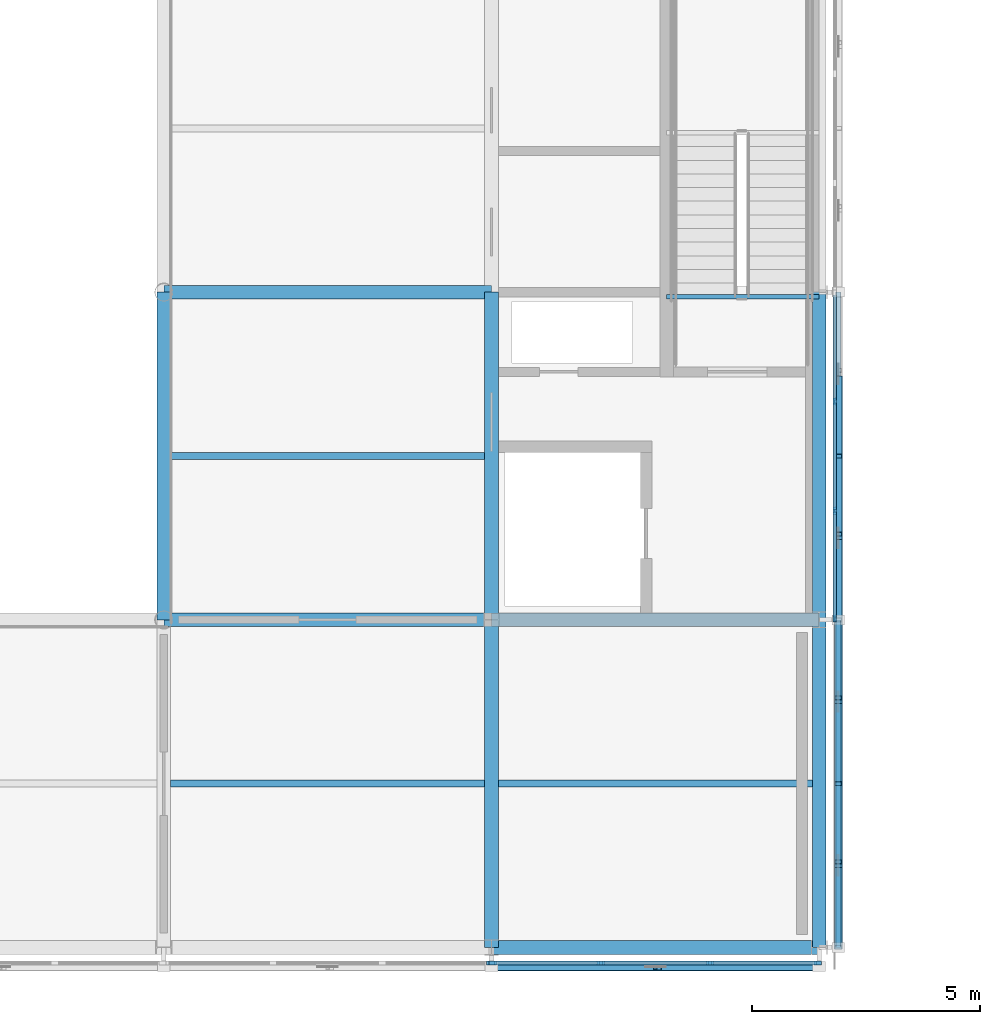
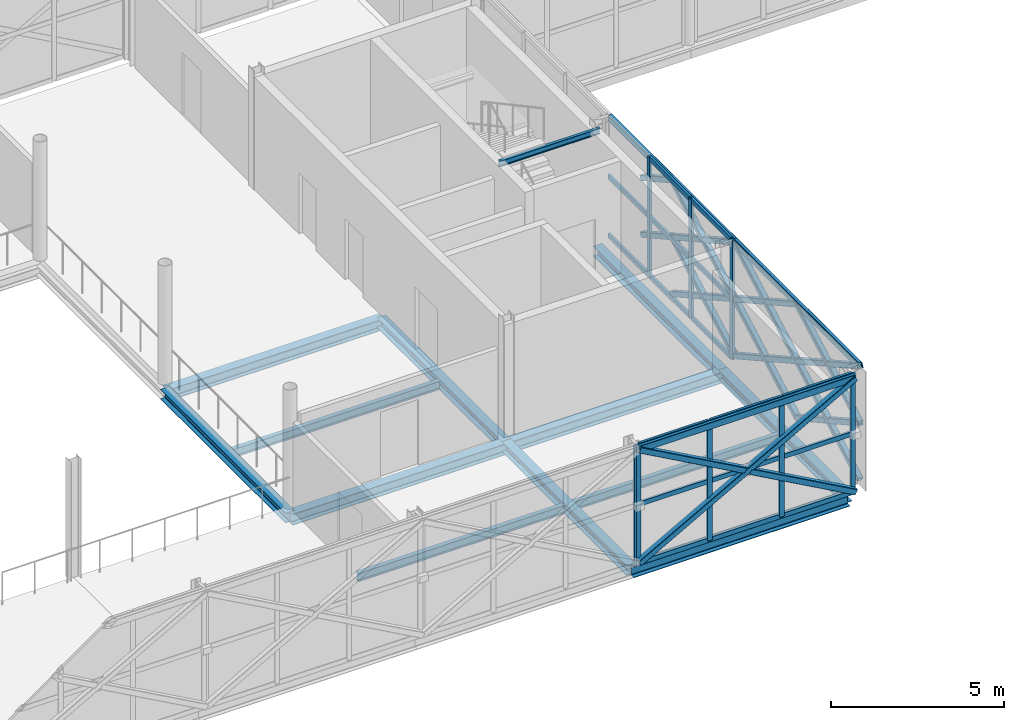
# One storey, part 35 of 126: 51 members, 13 beams, 3 elements without a shape of their own.
"""IFC4 building model written with IfcOpenShell, lengths in metres."""

from ifc_helpers import new_model, si_unit, direction, frame, origin, origin_2d, place, context, subcontext, project, spatial, rectangle, hollow_rectangle, i_section, extrude, material, material_profile, profile_set, type_object, element, aggregate, save


model = new_model("IFC4")

# Units and contexts
model_context = context("Model", 3, precision=1e-05, world=origin(), true_north=direction((0.0, 1.0)))
body_context = subcontext(model_context, "Body", "Model", "MODEL_VIEW")
ifc_project = project(units=[si_unit("LENGTHUNIT", "METRE"), si_unit("AREAUNIT", "SQUARE_METRE"), si_unit("VOLUMEUNIT", "CUBIC_METRE"), si_unit("PLANEANGLEUNIT", "RADIAN"), si_unit("MASSUNIT", "GRAM", prefix="KILO")], contexts=[model_context])

# Site, building, storey
site_placement = place(None, origin())
site = spatial("IfcSite", under=ifc_project, at=site_placement, CompositionType="ELEMENT")
building_placement = place(site_placement, origin())
building = spatial("IfcBuilding", under=site, at=building_placement, Name="Zlatovets Crest Museum", CompositionType="ELEMENT")
storey_placement = place(building_placement, frame((0.0, 0.0, 8.699951171875)))
storey = spatial("IfcBuildingStorey", under=building, at=storey_placement, Name="L02", CompositionType="ELEMENT", Elevation=8.699951171875)

# Beams
ifc_material_1 = material(Name="Structural steel S355J2", Category="steel")
ifc_material_profile_1 = material_profile(ifc_material_1, i_section(OverallWidth=0.300048828125, OverallDepth=0.389892578125, WebThickness=0.010986328125, FlangeThickness=0.01904296875, FilletRadius=0.027099609375, at=origin_2d()), Name="HEA 400")
ifc_profile_set_1 = profile_set([ifc_material_profile_1], Name="Structural steel S355J2")
beam_type_1 = type_object("IfcBeamType", Name="Beam_B-02", PredefinedType="BEAM", material=ifc_profile_set_1)
for number, where, z_axis, x_axis, name in (
    (1, (100.800048828125, 0.0, -0.4150390625), (1.0, 0.0, 0.0), (0.0, 1.0, 0.0), "V2 L02 Primary Girder B-02"),
    (2, (93.60009765625, 7.199951171875, -0.4150390625), (1.0, 0.0, 0.0), (0.0, 1.0, 0.0), "V2 L02 Primary Girder B-02"),
    (3, (100.800048828125, 7.199951171875, -0.4150390625), (1.0, 0.0, 0.0), (0.0, 1.0, 0.0), "V2 L02 Primary Girder B-02"),
    (4, (93.60009765625, 14.39990234375, -0.4150390625), (1.0, 0.0, 0.0), (0.0, 1.0, 0.0), "V2 L02 Primary Girder B-02"),
):
    element("IfcBeam", number, at=place(storey_placement, frame(where, z_axis=z_axis, x_axis=x_axis)), inside=storey, type_object=beam_type_1, Name=name, PredefinedType="BEAM", context=body_context, shape_type="SweptSolid", body=[
        extrude(i_section(OverallWidth=0.300048828125, OverallDepth=0.389892578125, WebThickness=0.010986328125, FlangeThickness=0.01904296875, FilletRadius=0.027099609375, at=origin_2d()), origin(), (0.0, 0.0, 1.0), 7.199951171875),
    ])
ifc_material_profile_2 = material_profile(ifc_material_1, i_section(OverallWidth=0.300048828125, OverallDepth=0.35009765625, WebThickness=0.010009765625, FlangeThickness=0.017578125, FilletRadius=0.027099609375, at=origin_2d()), Name="HEA 360")
ifc_profile_set_2 = profile_set([ifc_material_profile_2], Name="Structural steel S355J2")
beam_type_2 = type_object("IfcBeamType", Name="Beam_B-03", PredefinedType="BEAM", material=ifc_profile_set_2)
for number, where, z_axis, x_axis, name in (
    (5, (93.60009765625, 7.199951171875, -0.39501953125), (0.0, 1.0, 0.0), (-1.0, 0.0, 0.0), "V2 L02 Grid Beam B-03"),
    (6, (100.800048828125, 0.0, -0.39501953125), (0.0, 1.0, 0.0), (-1.0, 0.0, 0.0), "V2 L02 Grid Beam B-03"),
    (7, (100.800048828125, 7.199951171875, -0.39501953125), (0.0, 1.0, 0.0), (-1.0, 0.0, 0.0), "V2 L02 Grid Beam B-03"),
    (8, (108.0, 0.0, -0.39501953125), (0.0, 1.0, 0.0), (-1.0, 0.0, 0.0), "V2 L02 Grid Beam B-03"),
    (9, (108.0, 7.199951171875, -0.39501953125), (0.0, 1.0, 0.0), (-1.0, 0.0, 0.0), "V2 L02 Grid Beam B-03"),
):
    element("IfcBeam", number, at=place(storey_placement, frame(where, z_axis=z_axis, x_axis=x_axis)), inside=storey, type_object=beam_type_2, Name=name, PredefinedType="BEAM", context=body_context, shape_type="SweptSolid", body=[
        extrude(i_section(OverallWidth=0.300048828125, OverallDepth=0.35009765625, WebThickness=0.010009765625, FlangeThickness=0.017578125, FilletRadius=0.027099609375, at=origin_2d()), origin(), (0.0, 0.0, 1.0), 7.199951171875),
    ])
ifc_material_profile_3 = material_profile(ifc_material_1, i_section(OverallWidth=0.14990234375, OverallDepth=0.300048828125, WebThickness=0.007080078125, FlangeThickness=0.0107421875, FilletRadius=0.014892578125, at=origin_2d()), Name="IPE 300")
ifc_profile_set_3 = profile_set([ifc_material_profile_3], Name="Structural steel S355J2")
beam_type_3 = type_object("IfcBeamType", Name="Beam_J-02", PredefinedType="JOIST", material=ifc_profile_set_3)
for number, where, z_axis, x_axis, name in (
    (10, (93.75, 3.60009765625, -0.369873046875), (1.0, 0.0, 0.0), (0.0, 1.0, 0.0), "V2 L02 Composite Joist J-02"),
    (11, (93.75, 10.800048828125, -0.369873046875), (1.0, 0.0, 0.0), (0.0, 1.0, 0.0), "V2 L02 Composite Joist J-02"),
):
    element("IfcBeam", number, at=place(storey_placement, frame(where, z_axis=z_axis, x_axis=x_axis)), inside=storey, type_object=beam_type_3, Name=name, PredefinedType="JOIST", context=body_context, shape_type="SweptSolid", body=[
        extrude(i_section(OverallWidth=0.14990234375, OverallDepth=0.300048828125, WebThickness=0.007080078125, FlangeThickness=0.0107421875, FilletRadius=0.014892578125, at=origin_2d()), origin(), (0.0, 0.0, 1.0), 6.89990234375),
    ])
beam_1_placement = place(storey_placement, frame((100.949951171875, 3.60009765625, -0.369873046875), z_axis=(1.0, 0.0, 0.0), x_axis=(0.0, 1.0, 0.0)))
element("IfcBeam", 12, at=beam_1_placement, inside=storey, type_object=beam_type_3, Name="V2 L02 Composite Joist J-02", PredefinedType="JOIST", context=body_context, shape_type="SweptSolid", body=[
    extrude(i_section(OverallWidth=0.14990234375, OverallDepth=0.300048828125, WebThickness=0.007080078125, FlangeThickness=0.0107421875, FilletRadius=0.014892578125, at=origin_2d()), origin(), (0.0, 0.0, 1.0), 6.900146484375),
])
ifc_material_profile_4 = material_profile(ifc_material_1, i_section(OverallWidth=0.10009765625, OverallDepth=0.199951171875, WebThickness=0.005615234375, FlangeThickness=0.008544921875, FilletRadius=0.011962890625, at=origin_2d()), Name="IPE 200")
ifc_profile_set_4 = profile_set([ifc_material_profile_4], Name="Structural steel S355J2")
beam_type_4 = type_object("IfcBeamType", Name="Beam_PR-02", PredefinedType="LINTEL", material=ifc_profile_set_4)
beam_2_placement = place(storey_placement, frame((104.64990234375, 14.300048828125, 3.860107421875), z_axis=(1.0, 0.0, 0.0), x_axis=(0.0, 1.0, 0.0)))
element("IfcBeam", 13, at=beam_2_placement, inside=storey, type_object=beam_type_4, Name="Core C8 L02 Stair Well Header Beam", PredefinedType="LINTEL", context=body_context, shape_type="SweptSolid", body=[
    extrude(i_section(OverallWidth=0.10009765625, OverallDepth=0.199951171875, WebThickness=0.005615234375, FlangeThickness=0.008544921875, FilletRadius=0.011962890625, at=origin_2d()), origin(), (0.0, 0.0, 1.0), 3.35009765625),
])

# Curtain wall, member
ifc_material_2 = material(Name="Bronze-anodised aluminium and low-E triple glass", Category="aluminium")
curtain_wall_type_1 = type_object("IfcCurtainWallType", Name="CW_CW-V2-L02-M1", PredefinedType="NOTDEFINED", material=ifc_material_2)
curtain_wall_1_placement = place(storey_placement, origin())
curtain_wall_1 = element("IfcCurtainWall", 14, at=curtain_wall_1_placement, inside=storey, type_object=curtain_wall_type_1, Name="V2 L02 Secession Foyer Clear Curtain Wall", PredefinedType="NOTDEFINED")
ifc_material_3 = material(Name="Bronze-anodised aluminium EN AW-6060", Category="aluminium")
ifc_material_profile_5 = material_profile(ifc_material_3, rectangle(XDim=0.080078125, YDim=0.159912109375, at=origin_2d()), Name="ALU 80x160")
ifc_profile_set_5 = profile_set([ifc_material_profile_5], Name="Bronze-anodised aluminium EN AW-6060")
member_type_1 = type_object("IfcMemberType", Name="CWMull_M1", PredefinedType="MULLION", material=ifc_profile_set_5)
member_1_placement = place(storey_placement, frame((100.77001953125, -0.340087890625, 0.0), z_axis=(0.0, 0.0, 1.0), x_axis=(0.0, 1.0, 0.0)))
member_1 = element("IfcMember", 15, at=member_1_placement, type_object=member_type_1, Name="CW-V2-L02-M1 mullion 4", PredefinedType="MULLION", context=body_context, shape_type="SweptSolid", body=[
    extrude(rectangle(XDim=0.080078125, YDim=0.159912109375, at=origin_2d()), origin(), (0.0, 0.0, 1.0), 4.199951171875),
])
aggregate(curtain_wall_1, [member_1])

# Curtain wall, members
curtain_wall_type_2 = type_object("IfcCurtainWallType", Name="CW_CW-V2-L02-M2", PredefinedType="NOTDEFINED", material=ifc_material_2)
curtain_wall_2_placement = place(storey_placement, origin())
curtain_wall_2 = element("IfcCurtainWall", 16, at=curtain_wall_2_placement, inside=storey, type_object=curtain_wall_type_2, Name="V2 L02 Secession Foyer Clear Curtain Wall", PredefinedType="NOTDEFINED")
member_2_placement = place(storey_placement, frame((100.830078125, -0.340087890625, 0.0), z_axis=(0.0, 0.0, 1.0), x_axis=(0.0, 1.0, 0.0)))
member_2 = element("IfcMember", 17, at=member_2_placement, type_object=member_type_1, Name="CW-V2-L02-M2 mullion 1", PredefinedType="MULLION", context=body_context, shape_type="SweptSolid", body=[
    extrude(rectangle(XDim=0.080078125, YDim=0.159912109375, at=origin_2d()), origin(), (0.0, 0.0, 1.0), 4.199951171875),
])
member_3_placement = place(storey_placement, frame((103.199951171875, -0.340087890625, 0.0), z_axis=(0.0, 0.0, 1.0), x_axis=(0.0, 1.0, 0.0)))
member_3 = element("IfcMember", 18, at=member_3_placement, type_object=member_type_1, Name="CW-V2-L02-M2 mullion 2", PredefinedType="MULLION", context=body_context, shape_type="SweptSolid", body=[
    extrude(rectangle(XDim=0.080078125, YDim=0.159912109375, at=origin_2d()), origin(), (0.0, 0.0, 1.0), 4.199951171875),
])
member_4_placement = place(storey_placement, frame((105.60009765625, -0.340087890625, 0.0), z_axis=(0.0, 0.0, 1.0), x_axis=(0.0, 1.0, 0.0)))
member_4 = element("IfcMember", 19, at=member_4_placement, type_object=member_type_1, Name="CW-V2-L02-M2 mullion 3", PredefinedType="MULLION", context=body_context, shape_type="SweptSolid", body=[
    extrude(rectangle(XDim=0.080078125, YDim=0.159912109375, at=origin_2d()), origin(), (0.0, 0.0, 1.0), 4.199951171875),
])
member_5_placement = place(storey_placement, frame((107.969970703125, -0.340087890625, 0.0), z_axis=(0.0, 0.0, 1.0), x_axis=(0.0, 1.0, 0.0)))
member_5 = element("IfcMember", 20, at=member_5_placement, type_object=member_type_1, Name="CW-V2-L02-M2 mullion 4", PredefinedType="MULLION", context=body_context, shape_type="SweptSolid", body=[
    extrude(rectangle(XDim=0.080078125, YDim=0.159912109375, at=origin_2d()), origin(), (0.0, 0.0, 1.0), 4.199951171875),
])

curtain_wall_type_3 = type_object("IfcCurtainWallType", Name="CW_CW-V2-L02-M0", PredefinedType="NOTDEFINED", material=ifc_material_2)
curtain_wall_3_placement = place(storey_placement, origin())
curtain_wall_3 = element("IfcCurtainWall", 21, at=curtain_wall_3_placement, inside=storey, type_object=curtain_wall_type_3, Name="V2 L02 Expressed Core Glazed Facade", PredefinedType="NOTDEFINED")
member_6_placement = place(storey_placement, frame((108.340087890625, 7.22998046875, 0.0), z_axis=(0.0, 0.0, 1.0), x_axis=(-1.0, 0.0, 0.0)))
member_6 = element("IfcMember", 22, at=member_6_placement, type_object=member_type_1, Name="CW-V2-L02-M0 mullion 1", PredefinedType="MULLION", context=body_context, shape_type="SweptSolid", body=[
    extrude(rectangle(XDim=0.080078125, YDim=0.159912109375, at=origin_2d()), origin(), (0.0, 0.0, 1.0), 4.199951171875),
])
member_7_placement = place(storey_placement, frame((108.340087890625, 9.60009765625, 0.0), z_axis=(0.0, 0.0, 1.0), x_axis=(-1.0, 0.0, 0.0)))
member_7 = element("IfcMember", 23, at=member_7_placement, type_object=member_type_1, Name="CW-V2-L02-M0 mullion 2", PredefinedType="MULLION", context=body_context, shape_type="SweptSolid", body=[
    extrude(rectangle(XDim=0.080078125, YDim=0.159912109375, at=origin_2d()), origin(), (0.0, 0.0, 1.0), 4.199951171875),
])
member_8_placement = place(storey_placement, frame((108.340087890625, 12.0, 0.0), z_axis=(0.0, 0.0, 1.0), x_axis=(-1.0, 0.0, 0.0)))
member_8 = element("IfcMember", 24, at=member_8_placement, type_object=member_type_1, Name="CW-V2-L02-M0 mullion 3", PredefinedType="MULLION", context=body_context, shape_type="SweptSolid", body=[
    extrude(rectangle(XDim=0.080078125, YDim=0.159912109375, at=origin_2d()), origin(), (0.0, 0.0, 1.0), 4.199951171875),
])

# Member
ifc_material_profile_6 = material_profile(ifc_material_3, rectangle(XDim=0.080078125, YDim=0.159912109375, at=origin_2d()), Name="ALU 80x160")
ifc_profile_set_6 = profile_set([ifc_material_profile_6], Name="Bronze-anodised aluminium EN AW-6060")
member_type_2 = type_object("IfcMemberType", Name="CWTrans_T1", PredefinedType="USERDEFINED", material=ifc_profile_set_6)
member_9_placement = place(storey_placement, frame((100.860107421875, -0.340087890625, 0.030029296875), z_axis=(1.0, 0.0, 0.0), x_axis=(0.0, 1.0, 0.0)))
member_9 = element("IfcMember", 25, at=member_9_placement, type_object=member_type_2, Name="CW-V2-L02-M2 transom 1.1", ObjectType="TRANSOM", PredefinedType="USERDEFINED", context=body_context, shape_type="SweptSolid", body=[
    extrude(rectangle(XDim=0.080078125, YDim=0.159912109375, at=origin_2d()), origin(), (0.0, 0.0, 1.0), 2.309814453125),
])

member_10_placement = place(storey_placement, frame((100.860107421875, -0.340087890625, 2.10009765625), z_axis=(1.0, 0.0, 0.0), x_axis=(0.0, 1.0, 0.0)))
member_10 = element("IfcMember", 26, at=member_10_placement, type_object=member_type_2, Name="CW-V2-L02-M2 transom 1.2", ObjectType="TRANSOM", PredefinedType="USERDEFINED", context=body_context, shape_type="SweptSolid", body=[
    extrude(rectangle(XDim=0.080078125, YDim=0.159912109375, at=origin_2d()), origin(), (0.0, 0.0, 1.0), 2.309814453125),
])

member_11_placement = place(storey_placement, frame((100.860107421875, -0.340087890625, 4.170166015625), z_axis=(1.0, 0.0, 0.0), x_axis=(0.0, 1.0, 0.0)))
member_11 = element("IfcMember", 27, at=member_11_placement, type_object=member_type_2, Name="CW-V2-L02-M2 transom 1.3", ObjectType="TRANSOM", PredefinedType="USERDEFINED", context=body_context, shape_type="SweptSolid", body=[
    extrude(rectangle(XDim=0.080078125, YDim=0.159912109375, at=origin_2d()), origin(), (0.0, 0.0, 1.0), 2.309814453125),
])

member_12_placement = place(storey_placement, frame((103.22998046875, -0.340087890625, 0.030029296875), z_axis=(1.0, 0.0, 0.0), x_axis=(0.0, 1.0, 0.0)))
member_12 = element("IfcMember", 28, at=member_12_placement, type_object=member_type_2, Name="CW-V2-L02-M2 transom 2.1", ObjectType="TRANSOM", PredefinedType="USERDEFINED", context=body_context, shape_type="SweptSolid", body=[
    extrude(rectangle(XDim=0.080078125, YDim=0.159912109375, at=origin_2d()), origin(), (0.0, 0.0, 1.0), 2.340087890625),
])

member_13_placement = place(storey_placement, frame((103.22998046875, -0.340087890625, 2.10009765625), z_axis=(1.0, 0.0, 0.0), x_axis=(0.0, 1.0, 0.0)))
member_13 = element("IfcMember", 29, at=member_13_placement, type_object=member_type_2, Name="CW-V2-L02-M2 transom 2.2", ObjectType="TRANSOM", PredefinedType="USERDEFINED", context=body_context, shape_type="SweptSolid", body=[
    extrude(rectangle(XDim=0.080078125, YDim=0.159912109375, at=origin_2d()), origin(), (0.0, 0.0, 1.0), 2.340087890625),
])

member_14_placement = place(storey_placement, frame((103.22998046875, -0.340087890625, 4.170166015625), z_axis=(1.0, 0.0, 0.0), x_axis=(0.0, 1.0, 0.0)))
member_14 = element("IfcMember", 30, at=member_14_placement, type_object=member_type_2, Name="CW-V2-L02-M2 transom 2.3", ObjectType="TRANSOM", PredefinedType="USERDEFINED", context=body_context, shape_type="SweptSolid", body=[
    extrude(rectangle(XDim=0.080078125, YDim=0.159912109375, at=origin_2d()), origin(), (0.0, 0.0, 1.0), 2.340087890625),
])

member_15_placement = place(storey_placement, frame((105.6298828125, -0.340087890625, 0.030029296875), z_axis=(1.0, 0.0, 0.0), x_axis=(0.0, 1.0, 0.0)))
member_15 = element("IfcMember", 31, at=member_15_placement, type_object=member_type_2, Name="CW-V2-L02-M2 transom 3.1", ObjectType="TRANSOM", PredefinedType="USERDEFINED", context=body_context, shape_type="SweptSolid", body=[
    extrude(rectangle(XDim=0.080078125, YDim=0.159912109375, at=origin_2d()), origin(), (0.0, 0.0, 1.0), 2.31005859375),
])

member_16_placement = place(storey_placement, frame((105.6298828125, -0.340087890625, 2.10009765625), z_axis=(1.0, 0.0, 0.0), x_axis=(0.0, 1.0, 0.0)))
member_16 = element("IfcMember", 32, at=member_16_placement, type_object=member_type_2, Name="CW-V2-L02-M2 transom 3.2", ObjectType="TRANSOM", PredefinedType="USERDEFINED", context=body_context, shape_type="SweptSolid", body=[
    extrude(rectangle(XDim=0.080078125, YDim=0.159912109375, at=origin_2d()), origin(), (0.0, 0.0, 1.0), 2.31005859375),
])

member_17_placement = place(storey_placement, frame((105.6298828125, -0.340087890625, 4.170166015625), z_axis=(1.0, 0.0, 0.0), x_axis=(0.0, 1.0, 0.0)))
member_17 = element("IfcMember", 33, at=member_17_placement, type_object=member_type_2, Name="CW-V2-L02-M2 transom 3.3", ObjectType="TRANSOM", PredefinedType="USERDEFINED", context=body_context, shape_type="SweptSolid", body=[
    extrude(rectangle(XDim=0.080078125, YDim=0.159912109375, at=origin_2d()), origin(), (0.0, 0.0, 1.0), 2.31005859375),
])

aggregate(curtain_wall_2, [member_2, member_3, member_4, member_5, member_9, member_10, member_11, member_12, member_13, member_14, member_15, member_16, member_17])

member_18_placement = place(storey_placement, frame((108.340087890625, 7.260009765625, 0.030029296875), z_axis=(0.0, 1.0, 0.0), x_axis=(-1.0, 0.0, 0.0)))
member_18 = element("IfcMember", 34, at=member_18_placement, type_object=member_type_2, Name="CW-V2-L02-M0 transom 1.1", ObjectType="TRANSOM", PredefinedType="USERDEFINED", context=body_context, shape_type="SweptSolid", body=[
    extrude(rectangle(XDim=0.080078125, YDim=0.159912109375, at=origin_2d()), origin(), (0.0, 0.0, 1.0), 2.31005859375),
])

member_19_placement = place(storey_placement, frame((108.340087890625, 7.260009765625, 2.10009765625), z_axis=(0.0, 1.0, 0.0), x_axis=(-1.0, 0.0, 0.0)))
member_19 = element("IfcMember", 35, at=member_19_placement, type_object=member_type_2, Name="CW-V2-L02-M0 transom 1.2", ObjectType="TRANSOM", PredefinedType="USERDEFINED", context=body_context, shape_type="SweptSolid", body=[
    extrude(rectangle(XDim=0.080078125, YDim=0.159912109375, at=origin_2d()), origin(), (0.0, 0.0, 1.0), 2.31005859375),
])

member_20_placement = place(storey_placement, frame((108.340087890625, 7.260009765625, 4.170166015625), z_axis=(0.0, 1.0, 0.0), x_axis=(-1.0, 0.0, 0.0)))
member_20 = element("IfcMember", 36, at=member_20_placement, type_object=member_type_2, Name="CW-V2-L02-M0 transom 1.3", ObjectType="TRANSOM", PredefinedType="USERDEFINED", context=body_context, shape_type="SweptSolid", body=[
    extrude(rectangle(XDim=0.080078125, YDim=0.159912109375, at=origin_2d()), origin(), (0.0, 0.0, 1.0), 2.31005859375),
])

member_21_placement = place(storey_placement, frame((108.340087890625, 9.6298828125, 0.030029296875), z_axis=(0.0, 1.0, 0.0), x_axis=(-1.0, 0.0, 0.0)))
member_21 = element("IfcMember", 37, at=member_21_placement, type_object=member_type_2, Name="CW-V2-L02-M0 transom 2.1", ObjectType="TRANSOM", PredefinedType="USERDEFINED", context=body_context, shape_type="SweptSolid", body=[
    extrude(rectangle(XDim=0.080078125, YDim=0.159912109375, at=origin_2d()), origin(), (0.0, 0.0, 1.0), 2.340087890625),
])

member_22_placement = place(storey_placement, frame((108.340087890625, 9.6298828125, 2.10009765625), z_axis=(0.0, 1.0, 0.0), x_axis=(-1.0, 0.0, 0.0)))
member_22 = element("IfcMember", 38, at=member_22_placement, type_object=member_type_2, Name="CW-V2-L02-M0 transom 2.2", ObjectType="TRANSOM", PredefinedType="USERDEFINED", context=body_context, shape_type="SweptSolid", body=[
    extrude(rectangle(XDim=0.080078125, YDim=0.159912109375, at=origin_2d()), origin(), (0.0, 0.0, 1.0), 2.340087890625),
])

member_23_placement = place(storey_placement, frame((108.340087890625, 9.6298828125, 4.170166015625), z_axis=(0.0, 1.0, 0.0), x_axis=(-1.0, 0.0, 0.0)))
member_23 = element("IfcMember", 39, at=member_23_placement, type_object=member_type_2, Name="CW-V2-L02-M0 transom 2.3", ObjectType="TRANSOM", PredefinedType="USERDEFINED", context=body_context, shape_type="SweptSolid", body=[
    extrude(rectangle(XDim=0.080078125, YDim=0.159912109375, at=origin_2d()), origin(), (0.0, 0.0, 1.0), 2.340087890625),
])

member_24_placement = place(storey_placement, frame((108.340087890625, 12.030029296875, 0.030029296875), z_axis=(0.0, 1.0, 0.0), x_axis=(-1.0, 0.0, 0.0)))
member_24 = element("IfcMember", 40, at=member_24_placement, type_object=member_type_2, Name="CW-V2-L02-M0 transom 3.1", ObjectType="TRANSOM", PredefinedType="USERDEFINED", context=body_context, shape_type="SweptSolid", body=[
    extrude(rectangle(XDim=0.080078125, YDim=0.159912109375, at=origin_2d()), origin(), (0.0, 0.0, 1.0), 2.31005859375),
])

member_25_placement = place(storey_placement, frame((108.340087890625, 12.030029296875, 2.10009765625), z_axis=(0.0, 1.0, 0.0), x_axis=(-1.0, 0.0, 0.0)))
member_25 = element("IfcMember", 41, at=member_25_placement, type_object=member_type_2, Name="CW-V2-L02-M0 transom 3.2", ObjectType="TRANSOM", PredefinedType="USERDEFINED", context=body_context, shape_type="SweptSolid", body=[
    extrude(rectangle(XDim=0.080078125, YDim=0.159912109375, at=origin_2d()), origin(), (0.0, 0.0, 1.0), 2.31005859375),
])

aggregate(curtain_wall_3, [member_6, member_7, member_8, member_18, member_19, member_20, member_21, member_22, member_23, member_24, member_25])

# Members
ifc_material_4 = material(Name="Weathering bronze-steel S355J2W", Category="steel")
ifc_material_profile_7 = material_profile(ifc_material_4, hollow_rectangle(XDim=0.179931640625, YDim=0.179931640625, WallThickness=0.010009765625, InnerFilletRadius=0.010009765625, OuterFilletRadius=0.02001953125, at=origin_2d()), Name="SHS 180x180x10.0")
ifc_profile_set_7 = profile_set([ifc_material_profile_7], Name="Weathering bronze-steel S355J2W")
member_type_3 = type_object("IfcMemberType", Name="Lattice_XL-01", PredefinedType="BRACE", material=ifc_profile_set_7)
member_26_placement = place(storey_placement, frame((108.419921875, 0.0, 0.10009765625), z_axis=(0.0, 0.874162868644, 0.485632864501), x_axis=(-1.0, 0.0, 0.0)))
element("IfcMember", 42, at=member_26_placement, inside=storey, type_object=member_type_3, Name="Continuous Bronze Lattice Diagonal", PredefinedType="BRACE", context=body_context, shape_type="SweptSolid", body=[
    extrude(hollow_rectangle(XDim=0.179931640625, YDim=0.179931640625, WallThickness=0.010009765625, InnerFilletRadius=0.010009765625, OuterFilletRadius=0.02001953125, at=origin_2d()), origin(), (0.0, 0.0, 1.0), 4.118408203125),
])
for number, where, z_axis, x_axis, name in (
    (43, (108.419921875, 0.0, 2.10009765625), (0.0, 0.874169001841, -0.485621824284), (-1.0, 0.0, 0.0), "Split Crossing Bronze Lattice Diagonal Upper"),
    (44, (108.419921875, 1.883056640625, 1.053955078125), (0.0, 0.874169001841, -0.485621824284), (-1.0, 0.0, 0.0), "Split Crossing Bronze Lattice Diagonal Lower"),
):
    element("IfcMember", number, at=place(storey_placement, frame(where, z_axis=z_axis, x_axis=x_axis)), inside=storey, type_object=member_type_3, Name=name, PredefinedType="BRACE", context=body_context, shape_type="SweptSolid", body=[
        extrude(hollow_rectangle(XDim=0.179931640625, YDim=0.179931640625, WallThickness=0.010009765625, InnerFilletRadius=0.010009765625, OuterFilletRadius=0.02001953125, at=origin_2d()), origin(), (0.0, 0.0, 1.0), 1.964111328125),
    ])
member_27_placement = place(storey_placement, frame((108.419921875, 3.60009765625, 0.10009765625), z_axis=(0.0, 0.874148886685, 0.485658031857), x_axis=(-1.0, 0.0, 0.0)))
element("IfcMember", 45, at=member_27_placement, inside=storey, type_object=member_type_3, Name="Continuous Bronze Lattice Diagonal", PredefinedType="BRACE", context=body_context, shape_type="SweptSolid", body=[
    extrude(hollow_rectangle(XDim=0.179931640625, YDim=0.179931640625, WallThickness=0.010009765625, InnerFilletRadius=0.010009765625, OuterFilletRadius=0.02001953125, at=origin_2d()), origin(), (0.0, 0.0, 1.0), 4.1181640625),
])
member_28_placement = place(storey_placement, frame((108.419921875, 3.60009765625, 2.10009765625), z_axis=(0.0, 0.874139684676, -0.48567459443), x_axis=(-1.0, 0.0, 0.0)))
element("IfcMember", 46, at=member_28_placement, inside=storey, type_object=member_type_3, Name="Split Crossing Bronze Lattice Diagonal Upper", PredefinedType="BRACE", context=body_context, shape_type="SweptSolid", body=[
    extrude(hollow_rectangle(XDim=0.179931640625, YDim=0.179931640625, WallThickness=0.010009765625, InnerFilletRadius=0.010009765625, OuterFilletRadius=0.02001953125, at=origin_2d()), origin(), (0.0, 0.0, 1.0), 1.9638671875),
])
member_29_placement = place(storey_placement, frame((108.419921875, 5.48291015625, 1.053955078125), z_axis=(0.0, 0.874169001841, -0.485621824284), x_axis=(-1.0, 0.0, 0.0)))
element("IfcMember", 47, at=member_29_placement, inside=storey, type_object=member_type_3, Name="Split Crossing Bronze Lattice Diagonal Lower", PredefinedType="BRACE", context=body_context, shape_type="SweptSolid", body=[
    extrude(hollow_rectangle(XDim=0.179931640625, YDim=0.179931640625, WallThickness=0.010009765625, InnerFilletRadius=0.010009765625, OuterFilletRadius=0.02001953125, at=origin_2d()), origin(), (0.0, 0.0, 1.0), 1.964111328125),
])
member_30_placement = place(storey_placement, frame((108.419921875, 0.0, 2.10009765625), z_axis=(0.0, 0.874162868644, 0.485632864501), x_axis=(-1.0, 0.0, 0.0)))
element("IfcMember", 48, at=member_30_placement, inside=storey, type_object=member_type_3, Name="Continuous Bronze Lattice Diagonal", PredefinedType="BRACE", context=body_context, shape_type="SweptSolid", body=[
    extrude(hollow_rectangle(XDim=0.179931640625, YDim=0.179931640625, WallThickness=0.010009765625, InnerFilletRadius=0.010009765625, OuterFilletRadius=0.02001953125, at=origin_2d()), origin(), (0.0, 0.0, 1.0), 4.118408203125),
])
for number, where, z_axis, x_axis, name in (
    (49, (108.419921875, 0.0, 4.10009765625), (0.0, 0.874169001841, -0.485621824284), (-1.0, 0.0, 0.0), "Split Crossing Bronze Lattice Diagonal Upper"),
    (50, (108.419921875, 1.883056640625, 3.053955078125), (0.0, 0.874169001841, -0.485621824284), (-1.0, 0.0, 0.0), "Split Crossing Bronze Lattice Diagonal Lower"),
):
    element("IfcMember", number, at=place(storey_placement, frame(where, z_axis=z_axis, x_axis=x_axis)), inside=storey, type_object=member_type_3, Name=name, PredefinedType="BRACE", context=body_context, shape_type="SweptSolid", body=[
        extrude(hollow_rectangle(XDim=0.179931640625, YDim=0.179931640625, WallThickness=0.010009765625, InnerFilletRadius=0.010009765625, OuterFilletRadius=0.02001953125, at=origin_2d()), origin(), (0.0, 0.0, 1.0), 1.964111328125),
    ])
member_31_placement = place(storey_placement, frame((108.419921875, 3.60009765625, 2.10009765625), z_axis=(0.0, 0.874148886685, 0.485658031857), x_axis=(-1.0, 0.0, 0.0)))
element("IfcMember", 51, at=member_31_placement, inside=storey, type_object=member_type_3, Name="Continuous Bronze Lattice Diagonal", PredefinedType="BRACE", context=body_context, shape_type="SweptSolid", body=[
    extrude(hollow_rectangle(XDim=0.179931640625, YDim=0.179931640625, WallThickness=0.010009765625, InnerFilletRadius=0.010009765625, OuterFilletRadius=0.02001953125, at=origin_2d()), origin(), (0.0, 0.0, 1.0), 4.1181640625),
])
member_32_placement = place(storey_placement, frame((108.419921875, 3.60009765625, 4.10009765625), z_axis=(0.0, 0.874139684676, -0.48567459443), x_axis=(-1.0, 0.0, 0.0)))
element("IfcMember", 52, at=member_32_placement, inside=storey, type_object=member_type_3, Name="Split Crossing Bronze Lattice Diagonal Upper", PredefinedType="BRACE", context=body_context, shape_type="SweptSolid", body=[
    extrude(hollow_rectangle(XDim=0.179931640625, YDim=0.179931640625, WallThickness=0.010009765625, InnerFilletRadius=0.010009765625, OuterFilletRadius=0.02001953125, at=origin_2d()), origin(), (0.0, 0.0, 1.0), 1.9638671875),
])
member_33_placement = place(storey_placement, frame((108.419921875, 5.48291015625, 3.053955078125), z_axis=(0.0, 0.874169001841, -0.485621824284), x_axis=(-1.0, 0.0, 0.0)))
element("IfcMember", 53, at=member_33_placement, inside=storey, type_object=member_type_3, Name="Split Crossing Bronze Lattice Diagonal Lower", PredefinedType="BRACE", context=body_context, shape_type="SweptSolid", body=[
    extrude(hollow_rectangle(XDim=0.179931640625, YDim=0.179931640625, WallThickness=0.010009765625, InnerFilletRadius=0.010009765625, OuterFilletRadius=0.02001953125, at=origin_2d()), origin(), (0.0, 0.0, 1.0), 1.964111328125),
])
member_34_placement = place(storey_placement, frame((108.419921875, 7.199951171875, 0.10009765625), z_axis=(0.0, 0.874162868644, 0.485632864501), x_axis=(-1.0, 0.0, 0.0)))
element("IfcMember", 54, at=member_34_placement, inside=storey, type_object=member_type_3, Name="Continuous Bronze Lattice Diagonal", PredefinedType="BRACE", context=body_context, shape_type="SweptSolid", body=[
    extrude(hollow_rectangle(XDim=0.179931640625, YDim=0.179931640625, WallThickness=0.010009765625, InnerFilletRadius=0.010009765625, OuterFilletRadius=0.02001953125, at=origin_2d()), origin(), (0.0, 0.0, 1.0), 4.118408203125),
])
for number, where, z_axis, x_axis, name in (
    (55, (108.419921875, 7.199951171875, 2.10009765625), (0.0, 0.874169001841, -0.485621824284), (-1.0, 0.0, 0.0), "Split Crossing Bronze Lattice Diagonal Upper"),
    (56, (108.419921875, 9.0830078125, 1.053955078125), (0.0, 0.874169001841, -0.485621824284), (-1.0, 0.0, 0.0), "Split Crossing Bronze Lattice Diagonal Lower"),
    (57, (108.419921875, 10.800048828125, 2.10009765625), (0.0, 0.874169001841, -0.485621824284), (-1.0, 0.0, 0.0), "Split Crossing Bronze Lattice Diagonal Upper"),
):
    element("IfcMember", number, at=place(storey_placement, frame(where, z_axis=z_axis, x_axis=x_axis)), inside=storey, type_object=member_type_3, Name=name, PredefinedType="BRACE", context=body_context, shape_type="SweptSolid", body=[
        extrude(hollow_rectangle(XDim=0.179931640625, YDim=0.179931640625, WallThickness=0.010009765625, InnerFilletRadius=0.010009765625, OuterFilletRadius=0.02001953125, at=origin_2d()), origin(), (0.0, 0.0, 1.0), 1.964111328125),
    ])
member_35_placement = place(storey_placement, frame((108.419921875, 7.199951171875, 2.10009765625), z_axis=(0.0, 0.874162868644, 0.485632864501), x_axis=(-1.0, 0.0, 0.0)))
element("IfcMember", 58, at=member_35_placement, inside=storey, type_object=member_type_3, Name="Continuous Bronze Lattice Diagonal", PredefinedType="BRACE", context=body_context, shape_type="SweptSolid", body=[
    extrude(hollow_rectangle(XDim=0.179931640625, YDim=0.179931640625, WallThickness=0.010009765625, InnerFilletRadius=0.010009765625, OuterFilletRadius=0.02001953125, at=origin_2d()), origin(), (0.0, 0.0, 1.0), 4.118408203125),
])
for number, where, z_axis, x_axis, name in (
    (59, (108.419921875, 7.199951171875, 4.10009765625), (0.0, 0.874169001841, -0.485621824284), (-1.0, 0.0, 0.0), "Split Crossing Bronze Lattice Diagonal Upper"),
    (60, (108.419921875, 9.0830078125, 3.053955078125), (0.0, 0.874169001841, -0.485621824284), (-1.0, 0.0, 0.0), "Split Crossing Bronze Lattice Diagonal Lower"),
    (61, (108.419921875, 10.800048828125, 4.10009765625), (0.0, 0.874169001841, -0.485621824284), (-1.0, 0.0, 0.0), "Split Crossing Bronze Lattice Diagonal Upper"),
):
    element("IfcMember", number, at=place(storey_placement, frame(where, z_axis=z_axis, x_axis=x_axis)), inside=storey, type_object=member_type_3, Name=name, PredefinedType="BRACE", context=body_context, shape_type="SweptSolid", body=[
        extrude(hollow_rectangle(XDim=0.179931640625, YDim=0.179931640625, WallThickness=0.010009765625, InnerFilletRadius=0.010009765625, OuterFilletRadius=0.02001953125, at=origin_2d()), origin(), (0.0, 0.0, 1.0), 1.964111328125),
    ])
ifc_material_profile_8 = material_profile(ifc_material_4, hollow_rectangle(XDim=0.199951171875, YDim=0.199951171875, WallThickness=0.012451171875, InnerFilletRadius=0.012451171875, OuterFilletRadius=0.02490234375, at=origin_2d()), Name="SHS 200x200x12.5")
ifc_profile_set_8 = profile_set([ifc_material_profile_8], Name="Weathering bronze-steel S355J2W")
member_type_4 = type_object("IfcMemberType", Name="Lattice_XL-02", PredefinedType="BRACE", material=ifc_profile_set_8)
member_36_placement = place(storey_placement, frame((100.800048828125, -0.419921875, 0.10009765625), z_axis=(0.874155877937, 0.0, 0.485645447903), x_axis=(0.0, 1.0, 0.0)))
element("IfcMember", 62, at=member_36_placement, inside=storey, type_object=member_type_4, Name="Continuous Bronze Lattice Diagonal", PredefinedType="BRACE", context=body_context, shape_type="SweptSolid", body=[
    extrude(hollow_rectangle(XDim=0.199951171875, YDim=0.199951171875, WallThickness=0.012451171875, InnerFilletRadius=0.012451171875, OuterFilletRadius=0.02490234375, at=origin_2d()), origin(), (0.0, 0.0, 1.0), 8.236572265625),
])
member_37_placement = place(storey_placement, frame((100.800048828125, -0.419921875, 4.10009765625), z_axis=(0.874151551165, 0.0, -0.485653235958), x_axis=(0.0, 1.0, 0.0)))
element("IfcMember", 63, at=member_37_placement, inside=storey, type_object=member_type_4, Name="Split Crossing Bronze Lattice Diagonal Upper", PredefinedType="BRACE", context=body_context, shape_type="SweptSolid", body=[
    extrude(hollow_rectangle(XDim=0.199951171875, YDim=0.199951171875, WallThickness=0.012451171875, InnerFilletRadius=0.012451171875, OuterFilletRadius=0.02490234375, at=origin_2d()), origin(), (0.0, 0.0, 1.0), 4.023193359375),
])
member_38_placement = place(storey_placement, frame((104.48291015625, -0.419921875, 2.053955078125), z_axis=(0.874165862873, 0.0, -0.485627474703), x_axis=(0.0, 1.0, 0.0)))
element("IfcMember", 64, at=member_38_placement, inside=storey, type_object=member_type_4, Name="Split Crossing Bronze Lattice Diagonal Lower", PredefinedType="BRACE", context=body_context, shape_type="SweptSolid", body=[
    extrude(hollow_rectangle(XDim=0.199951171875, YDim=0.199951171875, WallThickness=0.012451171875, InnerFilletRadius=0.012451171875, OuterFilletRadius=0.02490234375, at=origin_2d()), origin(), (0.0, 0.0, 1.0), 4.0234375),
])
ifc_material_profile_9 = material_profile(ifc_material_4, hollow_rectangle(XDim=0.1201171875, YDim=0.239990234375, WallThickness=0.010009765625, InnerFilletRadius=0.010009765625, OuterFilletRadius=0.02001953125, at=origin_2d()), Name="RHS 120x240x10.0")
ifc_profile_set_9 = profile_set([ifc_material_profile_9], Name="Weathering bronze-steel S355J2W")
member_type_5 = type_object("IfcMemberType", Name="Lattice_XL-04", PredefinedType="CHORD", material=ifc_profile_set_9)
for number, where, z_axis, x_axis, name in (
    (65, (100.800048828125, -0.419921875, 4.10009765625), (1.0, 0.0, 0.0), (0.0, 1.0, 0.0), "Art Nouveau Woven Cage Collector Ring Chord"),
    (66, (108.419921875, 0.0, 4.10009765625), (0.0, 1.0, 0.0), (-1.0, 0.0, 0.0), "Art Nouveau Woven Cage Collector Ring Chord"),
    (67, (108.419921875, 7.199951171875, 4.10009765625), (0.0, 1.0, 0.0), (-1.0, 0.0, 0.0), "Art Nouveau Woven Cage Collector Ring Chord"),
):
    element("IfcMember", number, at=place(storey_placement, frame(where, z_axis=z_axis, x_axis=x_axis)), inside=storey, type_object=member_type_5, Name=name, PredefinedType="CHORD", context=body_context, shape_type="SweptSolid", body=[
        extrude(hollow_rectangle(XDim=0.1201171875, YDim=0.239990234375, WallThickness=0.010009765625, InnerFilletRadius=0.010009765625, OuterFilletRadius=0.02001953125, at=origin_2d()), origin(), (0.0, 0.0, 1.0), 7.199951171875),
    ])

save(model, "model.ifc")
